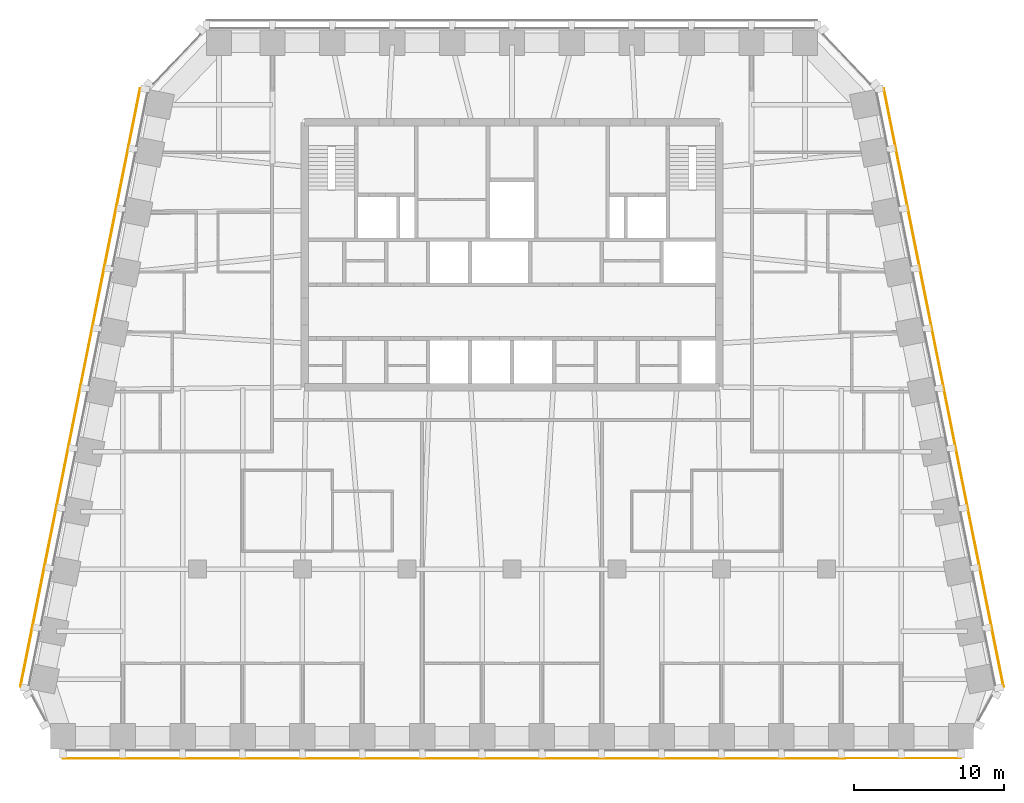
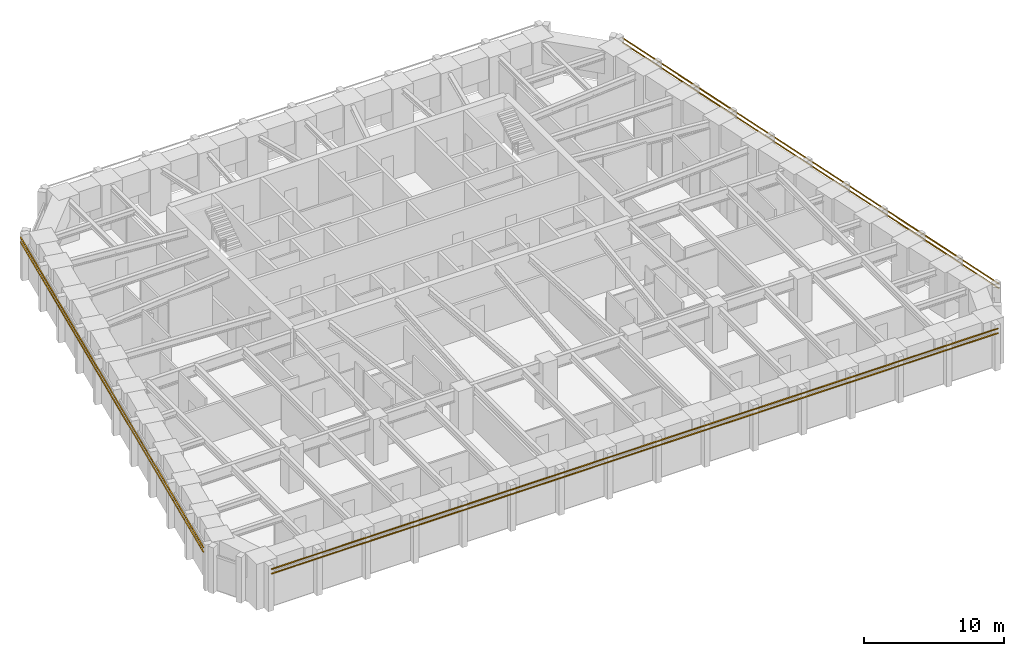
# One storey, part 10 of 11: 6 shading devices.
"""IFC4 building model written with IfcOpenShell, lengths in metres."""

from ifc_helpers import new_model, si_unit, direction, frame, origin, origin_2d, place, context, subcontext, project, spatial, rectangle, extrude, material, material_profile, profile_set, type_object, element, save


model = new_model("IFC4")

# Units and contexts
model_context = context("Model", 3, precision=1e-05, world=origin(), true_north=direction((0.0, 1.0)))
body_context = subcontext(model_context, "Body", "Model", "MODEL_VIEW")
ifc_project = project(units=[si_unit("LENGTHUNIT", "METRE"), si_unit("AREAUNIT", "SQUARE_METRE"), si_unit("VOLUMEUNIT", "CUBIC_METRE"), si_unit("PLANEANGLEUNIT", "RADIAN"), si_unit("MASSUNIT", "GRAM", prefix="KILO")], contexts=[model_context])

# Site, building, storey
site_placement = place(None, origin())
site = spatial("IfcSite", under=ifc_project, at=site_placement, CompositionType="ELEMENT")
building_placement = place(site_placement, origin())
building = spatial("IfcBuilding", under=site, at=building_placement, Name="Isbrekke Arena Tower", CompositionType="ELEMENT")
storey_placement = place(building_placement, frame((0.0, 0.0, 248.0)))
storey = spatial("IfcBuildingStorey", under=building, at=storey_placement, Name="L57", CompositionType="ELEMENT", Elevation=248.0)

# Shading devices
ifc_material = material(Name="Terracotta", Category="masonry")
ifc_material_profile = material_profile(ifc_material, rectangle(XDim=0.06005859375, YDim=0.06005859375, at=origin_2d()), Name="BAGUETTE 60X60")
ifc_profile_set = profile_set([ifc_material_profile], Name="Terracotta")
shading_device_type = type_object("IfcShadingDeviceType", Name="BG1 TERRACOTTA BAGUETTE 60 x 60", PredefinedType="USERDEFINED", material=ifc_profile_set)
for number, where, z_axis, x_axis, name in (
    (1, (-30.0, -18.655029296875, 3.280029296875), (1.0, 0.0, 0.0), (0.0, 1.0, 0.0), "BG1 terracotta baguette S1 L57"),
    (2, (-30.0, -18.655029296875, 3.679931640625), (1.0, 0.0, 0.0), (0.0, 1.0, 0.0), "BG1 terracotta baguette S2 L57"),
):
    element("IfcShadingDevice", number, at=place(storey_placement, frame(where, z_axis=z_axis, x_axis=x_axis)), inside=storey, type_object=shading_device_type, Name=name, ObjectType="TERRACOTTA BAGUETTE", PredefinedType="USERDEFINED", context=body_context, shape_type="SweptSolid", body=[
        extrude(rectangle(XDim=0.06005859375, YDim=0.06005859375, at=origin_2d()), origin(), (0.0, 0.0, 1.0), 60.0),
    ])
for number, where, z_axis, x_axis, name in (
    (3, (32.84228515625, -13.87158203125, 3.280029296875), (-0.196116135138, 0.980580675691, 0.0), (-0.980580675691, -0.196116135138, 0.0), "BG1 terracotta baguette E1 L57"),
    (4, (32.84228515625, -13.87158203125, 3.679931640625), (-0.196116135138, 0.980580675691, 0.0), (-0.980580675691, -0.196116135138, 0.0), "BG1 terracotta baguette E2 L57"),
    (5, (-24.84228515625, 26.12841796875, 3.280029296875), (-0.196116135138, -0.980580675691, 0.0), (0.980580675691, -0.196116135138, 0.0), "BG1 terracotta baguette W1 L57"),
    (6, (-24.84228515625, 26.12841796875, 3.679931640625), (-0.196116135138, -0.980580675691, 0.0), (0.980580675691, -0.196116135138, 0.0), "BG1 terracotta baguette W2 L57"),
):
    element("IfcShadingDevice", number, at=place(storey_placement, frame(where, z_axis=z_axis, x_axis=x_axis)), inside=storey, type_object=shading_device_type, Name=name, ObjectType="TERRACOTTA BAGUETTE", PredefinedType="USERDEFINED", context=body_context, shape_type="SweptSolid", body=[
        extrude(rectangle(XDim=0.06005859375, YDim=0.06005859375, at=origin_2d()), origin(), (0.0, 0.0, 1.0), 40.792236328125),
    ])

save(model, "model.ifc")
